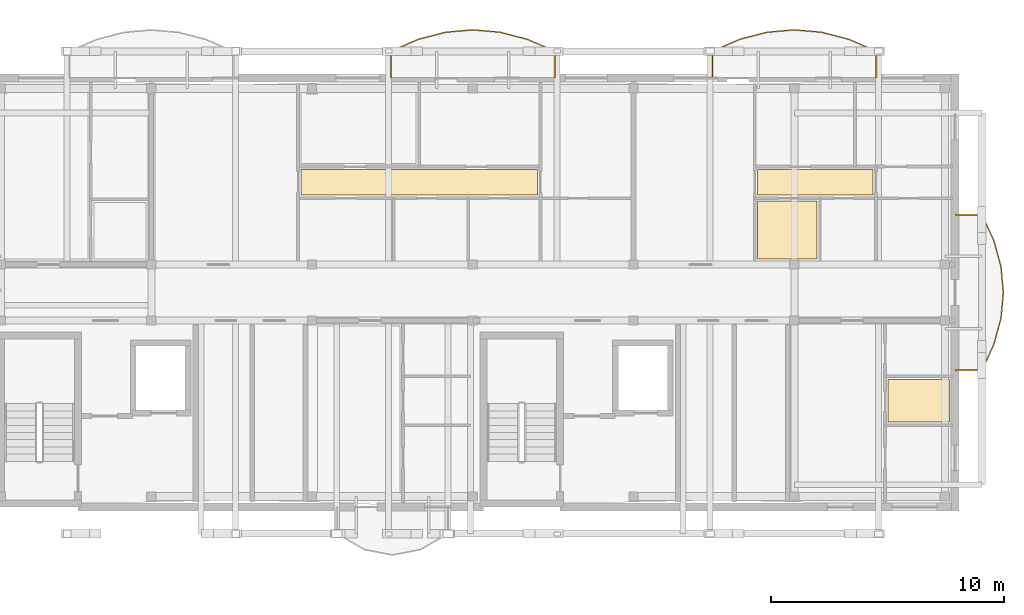
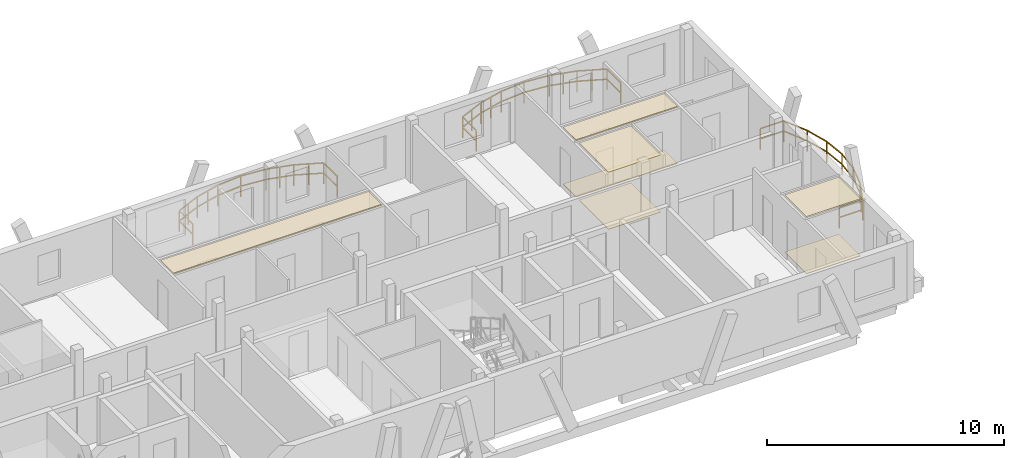
# One storey, part 33 of 33: 7 coverings, 3 railings.
"""IFC4 building model written with IfcOpenShell, lengths in metres."""

from ifc_helpers import new_model, si_unit, direction, frame, origin, origin_2d, place, context, subcontext, project, spatial, polyline, rectangle, outline, extrude, material, layer, layer_set, type_object, element, save


model = new_model("IFC4")

# Units and contexts
model_context = context("Model", 3, precision=1e-05, world=origin(), true_north=direction((0.0, 1.0)))
body_context = subcontext(model_context, "Body", "Model", "MODEL_VIEW")
ifc_project = project(units=[si_unit("LENGTHUNIT", "METRE"), si_unit("AREAUNIT", "SQUARE_METRE"), si_unit("VOLUMEUNIT", "CUBIC_METRE"), si_unit("PLANEANGLEUNIT", "RADIAN"), si_unit("MASSUNIT", "GRAM", prefix="KILO")], contexts=[model_context])

# Site, building, storey
site_placement = place(None, origin())
site = spatial("IfcSite", under=ifc_project, at=site_placement, CompositionType="ELEMENT")
building_placement = place(site_placement, origin())
building = spatial("IfcBuilding", under=site, at=building_placement, Name="Zavelmont Quarter", CompositionType="ELEMENT")
storey_placement = place(building_placement, frame((0.0, 0.0, 30.39990234375)))
storey = spatial("IfcBuildingStorey", under=building, at=storey_placement, Name="L09", CompositionType="ELEMENT", Elevation=30.39990234375)

# Coverings
ifc_material_1 = material(Name="Perforated acoustic gypsum board")
ifc_layer_1 = layer(ifc_material_1, 0.02490234375)
ifc_layer_set_1 = layer_set([ifc_layer_1], Name="Perforated acoustic gypsum board")
covering_type_1 = type_object("IfcCoveringType", Name="CV-CL01", PredefinedType="CEILING", material=ifc_layer_set_1)
covering_1_placement = place(storey_placement, frame((0.0, 0.0, 2.93505859375)))
element("IfcCovering", 1, at=covering_1_placement, inside=storey, type_object=covering_type_1, Name="L09 Kitchen acoustic ceiling", PredefinedType="CEILING", context=body_context, shape_type="SweptSolid", body=[
    extrude(outline(polyline([(159.530029296875, 110.719970703125), (162.070068359375, 110.719970703125), (162.070068359375, 108.22998046875), (161.340087890625, 108.22998046875), (161.340087890625, 108.239990234375), (160.860107421875, 108.239990234375), (160.860107421875, 108.22998046875), (159.530029296875, 108.22998046875), (159.530029296875, 110.719970703125)])), origin(), (0.0, 0.0, 1.0), 0.025146484375),
])
ifc_material_2 = material(Name="Slatted European ash acoustic baffle ceiling")
ifc_layer_2 = layer(ifc_material_2, 0.0400390625)
ifc_layer_set_2 = layer_set([ifc_layer_2], Name="Slatted European ash acoustic baffle ceiling")
covering_type_2 = type_object("IfcCoveringType", Name="CV-CL02", PredefinedType="CEILING", material=ifc_layer_set_2)
covering_2_placement = place(storey_placement, frame((0.0, 0.0, 2.920166015625)))
element("IfcCovering", 2, at=covering_2_placement, inside=storey, type_object=covering_type_2, Name="L09 Apartment Hall acoustic ceiling", PredefinedType="CEILING", context=body_context, shape_type="SweptSolid", body=[
    extrude(outline(polyline([(139.929931640625, 112.070068359375), (150.070068359375, 112.070068359375), (150.070068359375, 110.97998046875), (139.929931640625, 110.97998046875), (139.929931640625, 112.070068359375)])), origin(), (0.0, 0.0, 1.0), 0.0400390625),
])
covering_3_placement = place(storey_placement, frame((0.0, 0.0, 2.920166015625)))
element("IfcCovering", 3, at=covering_3_placement, inside=storey, type_object=covering_type_2, Name="L09 Apartment Hall acoustic ceiling", PredefinedType="CEILING", context=body_context, shape_type="SweptSolid", body=[
    extrude(outline(polyline([(159.530029296875, 112.070068359375), (164.469970703125, 112.070068359375), (164.469970703125, 110.97998046875), (159.530029296875, 110.97998046875), (159.530029296875, 112.070068359375)])), origin(), (0.0, 0.0, 1.0), 0.0400390625),
])
ifc_material_3 = material(Name="Moisture-resistant painted gypsum ceiling")
ifc_layer_3 = layer(ifc_material_3, 0.02001953125)
ifc_layer_set_3 = layer_set([ifc_layer_3], Name="Moisture-resistant painted gypsum ceiling")
covering_type_3 = type_object("IfcCoveringType", Name="CV-CL04", PredefinedType="CEILING", material=ifc_layer_set_3)
covering_4_placement = place(storey_placement, frame((0.0, 0.0, 2.940185546875)))
element("IfcCovering", 4, at=covering_4_placement, inside=storey, type_object=covering_type_3, Name="L09 Bathroom acoustic ceiling", PredefinedType="CEILING", context=body_context, shape_type="SweptSolid", body=[
    extrude(outline(polyline([(165.1298828125, 103.070068359375), (167.77001953125, 103.070068359375), (167.77001953125, 101.22998046875), (165.1298828125, 101.22998046875), (165.1298828125, 103.070068359375)])), origin(), (0.0, 0.0, 1.0), 0.02001953125),
])
ifc_material_4 = material(Name="Engineered European oak parquet")
ifc_layer_4 = layer(ifc_material_4, 0.02197265625)
ifc_layer_set_4 = layer_set([ifc_layer_4], Name="Engineered European oak parquet")
covering_type_4 = type_object("IfcCoveringType", Name="CV-FL01", PredefinedType="FLOORING", material=ifc_layer_set_4)
covering_5_placement = place(storey_placement, origin())
element("IfcCovering", 5, at=covering_5_placement, inside=storey, type_object=covering_type_4, Name="L09 Kitchen floor finish", PredefinedType="FLOORING", context=body_context, shape_type="SweptSolid", body=[
    extrude(outline(polyline([(159.530029296875, 110.719970703125), (162.070068359375, 110.719970703125), (162.070068359375, 108.22998046875), (161.340087890625, 108.22998046875), (161.340087890625, 108.239990234375), (160.860107421875, 108.239990234375), (160.860107421875, 108.22998046875), (159.530029296875, 108.22998046875), (159.530029296875, 110.719970703125)])), origin(), (0.0, 0.0, 1.0), 0.022216796875),
])
ifc_material_5 = material(Name="Honed Belgian bluestone tile", Category="masonry")
ifc_layer_5 = layer(ifc_material_5, 0.030029296875)
ifc_layer_set_5 = layer_set([ifc_layer_5], Name="Honed Belgian bluestone tile")
covering_type_5 = type_object("IfcCoveringType", Name="CV-FL02", PredefinedType="FLOORING", material=ifc_layer_set_5)
covering_6_placement = place(storey_placement, origin())
element("IfcCovering", 6, at=covering_6_placement, inside=storey, type_object=covering_type_5, Name="L09 Apartment Hall floor finish", PredefinedType="FLOORING", context=body_context, shape_type="SweptSolid", body=[
    extrude(outline(polyline([(159.530029296875, 112.070068359375), (164.469970703125, 112.070068359375), (164.469970703125, 110.97998046875), (159.530029296875, 110.97998046875), (159.530029296875, 112.070068359375)])), origin(), (0.0, 0.0, 1.0), 0.030029296875),
])
ifc_material_6 = material(Name="Slip-resistant porcelain tile")
ifc_layer_6 = layer(ifc_material_6, 0.02587890625)
ifc_layer_set_6 = layer_set([ifc_layer_6], Name="Slip-resistant porcelain tile")
covering_type_6 = type_object("IfcCoveringType", Name="CV-FL04", PredefinedType="FLOORING", material=ifc_layer_set_6)
covering_7_placement = place(storey_placement, origin())
element("IfcCovering", 7, at=covering_7_placement, inside=storey, type_object=covering_type_6, Name="L09 Bathroom floor finish", PredefinedType="FLOORING", context=body_context, shape_type="SweptSolid", body=[
    extrude(outline(polyline([(165.1298828125, 103.070068359375), (167.77001953125, 103.070068359375), (167.77001953125, 101.22998046875), (165.1298828125, 101.22998046875), (165.1298828125, 103.070068359375)])), origin(), (0.0, 0.0, 1.0), 0.026123046875),
])

# Railings
ifc_material_7 = material(Name="Powder-coated steel and tempered double safety glass", Category="steel")
railing_type = type_object("IfcRailingType", Name="RL-BAL1", PredefinedType="BALUSTRADE", material=ifc_material_7)
railing_1_placement = place(storey_placement, frame((150.81689453125, 116.02001953125, 0.0)))
element("IfcRailing", 8, at=railing_1_placement, inside=storey, type_object=railing_type, Name="L09 Block C curved balcony guard RL-BAL1", PredefinedType="BALUSTRADE", context=body_context, shape_type="SweptSolid", body=[
    extrude(rectangle(XDim=0.048095703125, YDim=0.048095703125, at=origin_2d()), frame((0.0, 0.0, 1.076171875), z_axis=(0.0, 1.0, 0.0), x_axis=(-1.0, 0.0, 0.0)), (0.0, 0.0, 1.0), 1.14306640625),
    extrude(rectangle(XDim=0.048095703125, YDim=0.048095703125, at=origin_2d()), frame((0.0, 0.0, 0.550048828125), z_axis=(0.0, 1.0, 0.0), x_axis=(-1.0, 0.0, 0.0)), (0.0, 0.0, 1.0), 1.14306640625),
    extrude(rectangle(XDim=0.048095703125, YDim=0.048095703125, at=origin_2d()), frame((0.0, 1.14306640625, 1.076171875), z_axis=(-0.917616034314, 0.397468003202, 0.0), x_axis=(-0.397468003202, -0.917616034314, 0.0)), (0.0, 0.0, 1.0), 1.277587890625),
    extrude(rectangle(XDim=0.048095703125, YDim=0.048095703125, at=origin_2d()), frame((0.0, 1.14306640625, 0.550048828125), z_axis=(-0.917616034314, 0.397468003202, 0.0), x_axis=(-0.397468003202, -0.917616034314, 0.0)), (0.0, 0.0, 1.0), 1.277587890625),
    extrude(rectangle(XDim=0.048095703125, YDim=0.048095703125, at=origin_2d()), frame((-1.17236328125, 1.65087890625, 1.076171875), z_axis=(-0.967835270162, 0.251584756751, 0.0), x_axis=(-0.251584756751, -0.967835270162, 0.0)), (0.0, 0.0, 1.0), 1.211181640625),
    extrude(rectangle(XDim=0.048095703125, YDim=0.048095703125, at=origin_2d()), frame((-1.17236328125, 1.65087890625, 0.550048828125), z_axis=(-0.967835270162, 0.251584756751, 0.0), x_axis=(-0.251584756751, -0.967835270162, 0.0)), (0.0, 0.0, 1.0), 1.211181640625),
    extrude(rectangle(XDim=0.048095703125, YDim=0.048095703125, at=origin_2d()), frame((-2.344482421875, 1.95556640625, 1.076171875), z_axis=(-0.996286380318, 0.086101384388, 0.0), x_axis=(-0.086101384388, -0.996286380318, 0.0)), (0.0, 0.0, 1.0), 1.1767578125),
    extrude(rectangle(XDim=0.048095703125, YDim=0.048095703125, at=origin_2d()), frame((-2.344482421875, 1.95556640625, 0.550048828125), z_axis=(-0.996286380318, 0.086101384388, 0.0), x_axis=(-0.086101384388, -0.996286380318, 0.0)), (0.0, 0.0, 1.0), 1.1767578125),
    extrude(rectangle(XDim=0.048095703125, YDim=0.048095703125, at=origin_2d()), frame((-3.516845703125, 2.056884765625, 1.076171875), z_axis=(-0.996286380318, -0.086101384388, 0.0), x_axis=(0.086101384388, -0.996286380318, 0.0)), (0.0, 0.0, 1.0), 1.1767578125),
    extrude(rectangle(XDim=0.048095703125, YDim=0.048095703125, at=origin_2d()), frame((-3.516845703125, 2.056884765625, 0.550048828125), z_axis=(-0.996286380318, -0.086101384388, 0.0), x_axis=(0.086101384388, -0.996286380318, 0.0)), (0.0, 0.0, 1.0), 1.1767578125),
    extrude(rectangle(XDim=0.048095703125, YDim=0.048095703125, at=origin_2d()), frame((-4.689208984375, 1.95556640625, 1.076171875), z_axis=(-0.967848026068, -0.251535680244, 0.0), x_axis=(0.251535680244, -0.967848026068, 0.0)), (0.0, 0.0, 1.0), 1.21142578125),
    extrude(rectangle(XDim=0.048095703125, YDim=0.048095703125, at=origin_2d()), frame((-4.689208984375, 1.95556640625, 0.550048828125), z_axis=(-0.967848026068, -0.251535680244, 0.0), x_axis=(0.251535680244, -0.967848026068, 0.0)), (0.0, 0.0, 1.0), 1.21142578125),
    extrude(rectangle(XDim=0.048095703125, YDim=0.048095703125, at=origin_2d()), frame((-5.861572265625, 1.65087890625, 1.076171875), z_axis=(-0.917585837758, -0.397537709339, 0.0), x_axis=(0.397537709339, -0.917585837758, 0.0)), (0.0, 0.0, 1.0), 1.27734375),
    extrude(rectangle(XDim=0.048095703125, YDim=0.048095703125, at=origin_2d()), frame((-5.861572265625, 1.65087890625, 0.550048828125), z_axis=(-0.917585837758, -0.397537709339, 0.0), x_axis=(0.397537709339, -0.917585837758, 0.0)), (0.0, 0.0, 1.0), 1.27734375),
    extrude(rectangle(XDim=0.048095703125, YDim=0.048095703125, at=origin_2d()), frame((-7.03369140625, 1.14306640625, 1.076171875), z_axis=(0.0, -1.0, 0.0), x_axis=(1.0, 0.0, 0.0)), (0.0, 0.0, 1.0), 1.14306640625),
    extrude(rectangle(XDim=0.048095703125, YDim=0.048095703125, at=origin_2d()), frame((-7.03369140625, 1.14306640625, 0.550048828125), z_axis=(0.0, -1.0, 0.0), x_axis=(1.0, 0.0, 0.0)), (0.0, 0.0, 1.0), 1.14306640625),
    extrude(rectangle(XDim=0.0419921875, YDim=0.0419921875, at=origin_2d()), origin(), (0.0, 0.0, 1.0), 1.052001953125),
    extrude(rectangle(XDim=0.0419921875, YDim=0.0419921875, at=origin_2d()), frame((0.0, 1.14306640625, 0.0)), (0.0, 0.0, 1.0), 1.052001953125),
    extrude(rectangle(XDim=0.0419921875, YDim=0.0419921875, at=origin_2d()), frame((-0.586181640625, 1.39697265625, 0.0)), (0.0, 0.0, 1.0), 1.052001953125),
    extrude(rectangle(XDim=0.0419921875, YDim=0.0419921875, at=origin_2d()), frame((-1.17236328125, 1.65087890625, 0.0)), (0.0, 0.0, 1.0), 1.052001953125),
    extrude(rectangle(XDim=0.0419921875, YDim=0.0419921875, at=origin_2d()), frame((-1.75830078125, 1.80322265625, 0.0)), (0.0, 0.0, 1.0), 1.052001953125),
    extrude(rectangle(XDim=0.0419921875, YDim=0.0419921875, at=origin_2d()), frame((-2.344482421875, 1.95556640625, 0.0)), (0.0, 0.0, 1.0), 1.052001953125),
    extrude(rectangle(XDim=0.0419921875, YDim=0.0419921875, at=origin_2d()), frame((-3.516845703125, 2.056884765625, 0.0)), (0.0, 0.0, 1.0), 1.052001953125),
    extrude(rectangle(XDim=0.0419921875, YDim=0.0419921875, at=origin_2d()), frame((-4.689208984375, 1.95556640625, 0.0)), (0.0, 0.0, 1.0), 1.052001953125),
    extrude(rectangle(XDim=0.0419921875, YDim=0.0419921875, at=origin_2d()), frame((-5.275390625, 1.80322265625, 0.0)), (0.0, 0.0, 1.0), 1.052001953125),
    extrude(rectangle(XDim=0.0419921875, YDim=0.0419921875, at=origin_2d()), frame((-5.861572265625, 1.65087890625, 0.0)), (0.0, 0.0, 1.0), 1.052001953125),
    extrude(rectangle(XDim=0.0419921875, YDim=0.0419921875, at=origin_2d()), frame((-6.44775390625, 1.39697265625, 0.0)), (0.0, 0.0, 1.0), 1.052001953125),
    extrude(rectangle(XDim=0.0419921875, YDim=0.0419921875, at=origin_2d()), frame((-7.03369140625, 1.14306640625, 0.0)), (0.0, 0.0, 1.0), 1.052001953125),
    extrude(rectangle(XDim=0.0419921875, YDim=0.0419921875, at=origin_2d()), frame((-7.03369140625, 0.0, 0.0)), (0.0, 0.0, 1.0), 1.052001953125),
])
railing_2_placement = place(storey_placement, frame((164.616943359375, 116.02001953125, 0.0)))
element("IfcRailing", 9, at=railing_2_placement, inside=storey, type_object=railing_type, Name="L09 Block C curved balcony guard RL-BAL1", PredefinedType="BALUSTRADE", context=body_context, shape_type="SweptSolid", body=[
    extrude(rectangle(XDim=0.048095703125, YDim=0.048095703125, at=origin_2d()), frame((0.0, 0.0, 1.076171875), z_axis=(0.0, 1.0, 0.0), x_axis=(-1.0, 0.0, 0.0)), (0.0, 0.0, 1.0), 1.14306640625),
    extrude(rectangle(XDim=0.048095703125, YDim=0.048095703125, at=origin_2d()), frame((0.0, 0.0, 0.550048828125), z_axis=(0.0, 1.0, 0.0), x_axis=(-1.0, 0.0, 0.0)), (0.0, 0.0, 1.0), 1.14306640625),
    extrude(rectangle(XDim=0.048095703125, YDim=0.048095703125, at=origin_2d()), frame((0.0, 1.14306640625, 1.076171875), z_axis=(-0.917616034314, 0.397468003202, 0.0), x_axis=(-0.397468003202, -0.917616034314, 0.0)), (0.0, 0.0, 1.0), 1.277587890625),
    extrude(rectangle(XDim=0.048095703125, YDim=0.048095703125, at=origin_2d()), frame((0.0, 1.14306640625, 0.550048828125), z_axis=(-0.917616034314, 0.397468003202, 0.0), x_axis=(-0.397468003202, -0.917616034314, 0.0)), (0.0, 0.0, 1.0), 1.277587890625),
    extrude(rectangle(XDim=0.048095703125, YDim=0.048095703125, at=origin_2d()), frame((-1.17236328125, 1.65087890625, 1.076171875), z_axis=(-0.967848026068, 0.251535680244, 0.0), x_axis=(-0.251535680244, -0.967848026068, 0.0)), (0.0, 0.0, 1.0), 1.21142578125),
    extrude(rectangle(XDim=0.048095703125, YDim=0.048095703125, at=origin_2d()), frame((-1.17236328125, 1.65087890625, 0.550048828125), z_axis=(-0.967848026068, 0.251535680244, 0.0), x_axis=(-0.251535680244, -0.967848026068, 0.0)), (0.0, 0.0, 1.0), 1.21142578125),
    extrude(rectangle(XDim=0.048095703125, YDim=0.048095703125, at=origin_2d()), frame((-2.3447265625, 1.95556640625, 1.076171875), z_axis=(-0.996284841749, 0.086119185446, 0.0), x_axis=(-0.086119185446, -0.996284841749, 0.0)), (0.0, 0.0, 1.0), 1.176513671875),
    extrude(rectangle(XDim=0.048095703125, YDim=0.048095703125, at=origin_2d()), frame((-2.3447265625, 1.95556640625, 0.550048828125), z_axis=(-0.996284841749, 0.086119185446, 0.0), x_axis=(-0.086119185446, -0.996284841749, 0.0)), (0.0, 0.0, 1.0), 1.176513671875),
    extrude(rectangle(XDim=0.048095703125, YDim=0.048095703125, at=origin_2d()), frame((-3.516845703125, 2.056884765625, 1.076171875), z_axis=(-0.996286380318, -0.086101384388, 0.0), x_axis=(0.086101384388, -0.996286380318, 0.0)), (0.0, 0.0, 1.0), 1.1767578125),
    extrude(rectangle(XDim=0.048095703125, YDim=0.048095703125, at=origin_2d()), frame((-3.516845703125, 2.056884765625, 0.550048828125), z_axis=(-0.996286380318, -0.086101384388, 0.0), x_axis=(0.086101384388, -0.996286380318, 0.0)), (0.0, 0.0, 1.0), 1.1767578125),
    extrude(rectangle(XDim=0.048095703125, YDim=0.048095703125, at=origin_2d()), frame((-4.689208984375, 1.95556640625, 1.076171875), z_axis=(-0.967848026068, -0.251535680244, 0.0), x_axis=(0.251535680244, -0.967848026068, 0.0)), (0.0, 0.0, 1.0), 1.21142578125),
    extrude(rectangle(XDim=0.048095703125, YDim=0.048095703125, at=origin_2d()), frame((-4.689208984375, 1.95556640625, 0.550048828125), z_axis=(-0.967848026068, -0.251535680244, 0.0), x_axis=(0.251535680244, -0.967848026068, 0.0)), (0.0, 0.0, 1.0), 1.21142578125),
    extrude(rectangle(XDim=0.048095703125, YDim=0.048095703125, at=origin_2d()), frame((-5.861572265625, 1.65087890625, 1.076171875), z_axis=(-0.917616034314, -0.397468003202, 0.0), x_axis=(0.397468003202, -0.917616034314, 0.0)), (0.0, 0.0, 1.0), 1.277587890625),
    extrude(rectangle(XDim=0.048095703125, YDim=0.048095703125, at=origin_2d()), frame((-5.861572265625, 1.65087890625, 0.550048828125), z_axis=(-0.917616034314, -0.397468003202, 0.0), x_axis=(0.397468003202, -0.917616034314, 0.0)), (0.0, 0.0, 1.0), 1.277587890625),
    extrude(rectangle(XDim=0.048095703125, YDim=0.048095703125, at=origin_2d()), frame((-7.033935546875, 1.14306640625, 1.076171875), z_axis=(0.0, -1.0, 0.0), x_axis=(1.0, 0.0, 0.0)), (0.0, 0.0, 1.0), 1.14306640625),
    extrude(rectangle(XDim=0.048095703125, YDim=0.048095703125, at=origin_2d()), frame((-7.033935546875, 1.14306640625, 0.550048828125), z_axis=(0.0, -1.0, 0.0), x_axis=(1.0, 0.0, 0.0)), (0.0, 0.0, 1.0), 1.14306640625),
    extrude(rectangle(XDim=0.0419921875, YDim=0.0419921875, at=origin_2d()), origin(), (0.0, 0.0, 1.0), 1.052001953125),
    extrude(rectangle(XDim=0.0419921875, YDim=0.0419921875, at=origin_2d()), frame((0.0, 1.14306640625, 0.0)), (0.0, 0.0, 1.0), 1.052001953125),
    extrude(rectangle(XDim=0.0419921875, YDim=0.0419921875, at=origin_2d()), frame((-0.586181640625, 1.39697265625, 0.0)), (0.0, 0.0, 1.0), 1.052001953125),
    extrude(rectangle(XDim=0.0419921875, YDim=0.0419921875, at=origin_2d()), frame((-1.17236328125, 1.65087890625, 0.0)), (0.0, 0.0, 1.0), 1.052001953125),
    extrude(rectangle(XDim=0.0419921875, YDim=0.0419921875, at=origin_2d()), frame((-1.758544921875, 1.80322265625, 0.0)), (0.0, 0.0, 1.0), 1.052001953125),
    extrude(rectangle(XDim=0.0419921875, YDim=0.0419921875, at=origin_2d()), frame((-2.3447265625, 1.95556640625, 0.0)), (0.0, 0.0, 1.0), 1.052001953125),
    extrude(rectangle(XDim=0.0419921875, YDim=0.0419921875, at=origin_2d()), frame((-3.516845703125, 2.056884765625, 0.0)), (0.0, 0.0, 1.0), 1.052001953125),
    extrude(rectangle(XDim=0.0419921875, YDim=0.0419921875, at=origin_2d()), frame((-4.689208984375, 1.95556640625, 0.0)), (0.0, 0.0, 1.0), 1.052001953125),
    extrude(rectangle(XDim=0.0419921875, YDim=0.0419921875, at=origin_2d()), frame((-5.275390625, 1.80322265625, 0.0)), (0.0, 0.0, 1.0), 1.052001953125),
    extrude(rectangle(XDim=0.0419921875, YDim=0.0419921875, at=origin_2d()), frame((-5.861572265625, 1.65087890625, 0.0)), (0.0, 0.0, 1.0), 1.052001953125),
    extrude(rectangle(XDim=0.0419921875, YDim=0.0419921875, at=origin_2d()), frame((-6.44775390625, 1.39697265625, 0.0)), (0.0, 0.0, 1.0), 1.052001953125),
    extrude(rectangle(XDim=0.0419921875, YDim=0.0419921875, at=origin_2d()), frame((-7.033935546875, 1.14306640625, 0.0)), (0.0, 0.0, 1.0), 1.052001953125),
    extrude(rectangle(XDim=0.0419921875, YDim=0.0419921875, at=origin_2d()), frame((-7.033935546875, 0.0, 0.0)), (0.0, 0.0, 1.0), 1.052001953125),
])
railing_3_placement = place(storey_placement, frame((168.02001953125, 103.462890625, 0.0)))
element("IfcRailing", 10, at=railing_3_placement, inside=storey, type_object=railing_type, Name="L09 Block C curved balcony guard RL-BAL1", PredefinedType="BALUSTRADE", context=body_context, shape_type="SweptSolid", body=[
    extrude(rectangle(XDim=0.048095703125, YDim=0.048095703125, at=origin_2d()), frame((0.0, 0.0, 1.076171875), z_axis=(1.0, 0.0, 0.0), x_axis=(0.0, 1.0, 0.0)), (0.0, 0.0, 1.0), 1.14306640625),
    extrude(rectangle(XDim=0.048095703125, YDim=0.048095703125, at=origin_2d()), frame((0.0, 0.0, 0.550048828125), z_axis=(1.0, 0.0, 0.0), x_axis=(0.0, 1.0, 0.0)), (0.0, 0.0, 1.0), 1.14306640625),
    extrude(rectangle(XDim=0.048095703125, YDim=0.048095703125, at=origin_2d()), frame((1.14306640625, 0.0, 1.076171875), z_axis=(0.415306717419, 0.9096814445, 0.0), x_axis=(-0.9096814445, 0.415306717419, 0.0)), (0.0, 0.0, 1.0), 1.22265625),
    extrude(rectangle(XDim=0.048095703125, YDim=0.048095703125, at=origin_2d()), frame((1.14306640625, 0.0, 0.550048828125), z_axis=(0.415306717419, 0.9096814445, 0.0), x_axis=(-0.9096814445, 0.415306717419, 0.0)), (0.0, 0.0, 1.0), 1.22265625),
    extrude(rectangle(XDim=0.048095703125, YDim=0.048095703125, at=origin_2d()), frame((1.65087890625, 1.1123046875, 1.076171875), z_axis=(0.264191988042, 0.964470110192, 0.0), x_axis=(-0.964470110192, 0.264191988042, 0.0)), (0.0, 0.0, 1.0), 1.1533203125),
    extrude(rectangle(XDim=0.048095703125, YDim=0.048095703125, at=origin_2d()), frame((1.65087890625, 1.1123046875, 0.550048828125), z_axis=(0.264191988042, 0.964470110192, 0.0), x_axis=(-0.964470110192, 0.264191988042, 0.0)), (0.0, 0.0, 1.0), 1.1533203125),
    extrude(rectangle(XDim=0.048095703125, YDim=0.048095703125, at=origin_2d()), frame((1.95556640625, 2.224609375, 1.076171875), z_axis=(0.090693379065, 0.995878863614, 0.0), x_axis=(-0.995878863614, 0.090693379065, 0.0)), (0.0, 0.0, 1.0), 1.1171875),
    extrude(rectangle(XDim=0.048095703125, YDim=0.048095703125, at=origin_2d()), frame((1.95556640625, 2.224609375, 0.550048828125), z_axis=(0.090693379065, 0.995878863614, 0.0), x_axis=(-0.995878863614, 0.090693379065, 0.0)), (0.0, 0.0, 1.0), 1.1171875),
    extrude(rectangle(XDim=0.048095703125, YDim=0.048095703125, at=origin_2d()), frame((2.056884765625, 3.337158203125, 1.076171875), z_axis=(-0.090713121637, 0.995877065487, 0.0), x_axis=(-0.995877065487, -0.090713121637, 0.0)), (0.0, 0.0, 1.0), 1.116943359375),
    extrude(rectangle(XDim=0.048095703125, YDim=0.048095703125, at=origin_2d()), frame((2.056884765625, 3.337158203125, 0.550048828125), z_axis=(-0.090713121637, 0.995877065487, 0.0), x_axis=(-0.995877065487, -0.090713121637, 0.0)), (0.0, 0.0, 1.0), 1.116943359375),
    extrude(rectangle(XDim=0.048095703125, YDim=0.048095703125, at=origin_2d()), frame((1.95556640625, 4.449462890625, 1.076171875), z_axis=(-0.264138058326, 0.964484881242, 0.0), x_axis=(-0.964484881242, -0.264138058326, 0.0)), (0.0, 0.0, 1.0), 1.153564453125),
    extrude(rectangle(XDim=0.048095703125, YDim=0.048095703125, at=origin_2d()), frame((1.95556640625, 4.449462890625, 0.550048828125), z_axis=(-0.264138058326, 0.964484881242, 0.0), x_axis=(-0.964484881242, -0.264138058326, 0.0)), (0.0, 0.0, 1.0), 1.153564453125),
    extrude(rectangle(XDim=0.048095703125, YDim=0.048095703125, at=origin_2d()), frame((1.65087890625, 5.56201171875, 1.076171875), z_axis=(-0.415306717419, 0.9096814445, 0.0), x_axis=(-0.9096814445, -0.415306717419, 0.0)), (0.0, 0.0, 1.0), 1.22265625),
    extrude(rectangle(XDim=0.048095703125, YDim=0.048095703125, at=origin_2d()), frame((1.65087890625, 5.56201171875, 0.550048828125), z_axis=(-0.415306717419, 0.9096814445, 0.0), x_axis=(-0.9096814445, -0.415306717419, 0.0)), (0.0, 0.0, 1.0), 1.22265625),
    extrude(rectangle(XDim=0.048095703125, YDim=0.048095703125, at=origin_2d()), frame((1.14306640625, 6.67431640625, 1.076171875), z_axis=(-1.0, 0.0, 0.0), x_axis=(0.0, -1.0, 0.0)), (0.0, 0.0, 1.0), 1.14306640625),
    extrude(rectangle(XDim=0.048095703125, YDim=0.048095703125, at=origin_2d()), frame((1.14306640625, 6.67431640625, 0.550048828125), z_axis=(-1.0, 0.0, 0.0), x_axis=(0.0, -1.0, 0.0)), (0.0, 0.0, 1.0), 1.14306640625),
    extrude(rectangle(XDim=0.0419921875, YDim=0.0419921875, at=origin_2d()), origin(), (0.0, 0.0, 1.0), 1.052001953125),
    extrude(rectangle(XDim=0.0419921875, YDim=0.0419921875, at=origin_2d()), frame((1.14306640625, 0.0, 0.0)), (0.0, 0.0, 1.0), 1.052001953125),
    extrude(rectangle(XDim=0.0419921875, YDim=0.0419921875, at=origin_2d()), frame((1.39697265625, 0.55615234375, 0.0)), (0.0, 0.0, 1.0), 1.052001953125),
    extrude(rectangle(XDim=0.0419921875, YDim=0.0419921875, at=origin_2d()), frame((1.65087890625, 1.1123046875, 0.0)), (0.0, 0.0, 1.0), 1.052001953125),
    extrude(rectangle(XDim=0.0419921875, YDim=0.0419921875, at=origin_2d()), frame((1.95556640625, 2.224609375, 0.0)), (0.0, 0.0, 1.0), 1.052001953125),
    extrude(rectangle(XDim=0.0419921875, YDim=0.0419921875, at=origin_2d()), frame((2.056884765625, 3.337158203125, 0.0)), (0.0, 0.0, 1.0), 1.052001953125),
    extrude(rectangle(XDim=0.0419921875, YDim=0.0419921875, at=origin_2d()), frame((1.95556640625, 4.449462890625, 0.0)), (0.0, 0.0, 1.0), 1.052001953125),
    extrude(rectangle(XDim=0.0419921875, YDim=0.0419921875, at=origin_2d()), frame((1.65087890625, 5.56201171875, 0.0)), (0.0, 0.0, 1.0), 1.052001953125),
    extrude(rectangle(XDim=0.0419921875, YDim=0.0419921875, at=origin_2d()), frame((1.39697265625, 6.1181640625, 0.0)), (0.0, 0.0, 1.0), 1.052001953125),
    extrude(rectangle(XDim=0.0419921875, YDim=0.0419921875, at=origin_2d()), frame((1.14306640625, 6.67431640625, 0.0)), (0.0, 0.0, 1.0), 1.052001953125),
    extrude(rectangle(XDim=0.0419921875, YDim=0.0419921875, at=origin_2d()), frame((0.0, 6.67431640625, 0.0)), (0.0, 0.0, 1.0), 1.052001953125),
])

save(model, "model.ifc")
